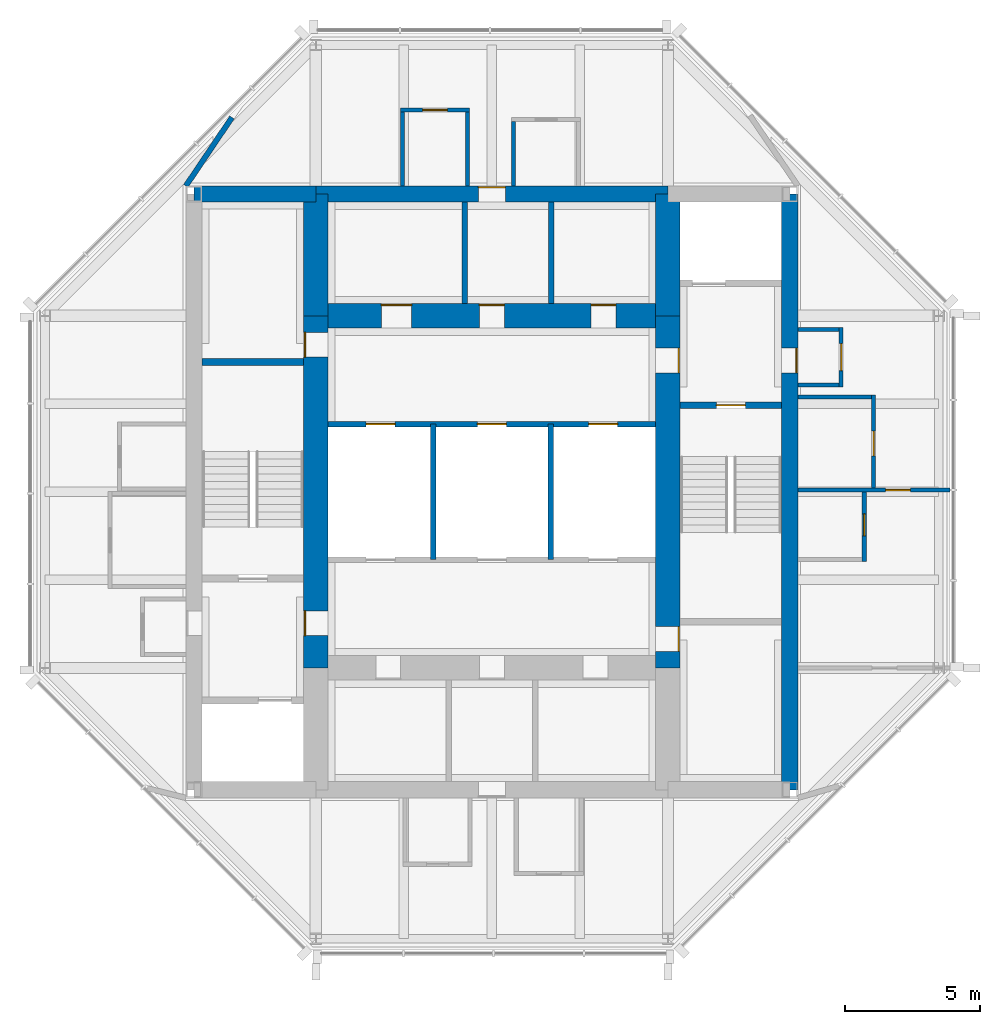
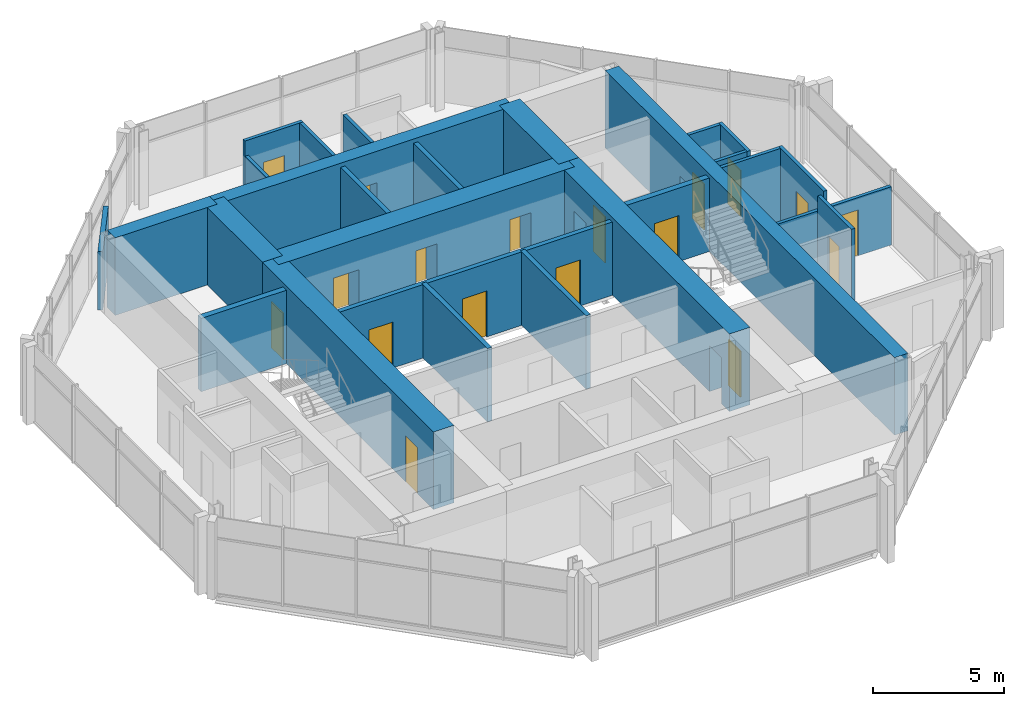
# One storey, part 6 of 8: 27 walls, 18 doors, 18 openings.
"""IFC4 building model written with IfcOpenShell, lengths in metres."""

from ifc_helpers import new_model, si_unit, direction, frame, frame_2d, origin, place, context, subcontext, project, spatial, rectangle, extrude, material, layer, layer_set, type_object, element, fill, save


model = new_model("IFC4")

# Units and contexts
model_context = context("Model", 3, precision=1e-05, world=origin(), true_north=direction((0.0, 1.0)))
body_context = subcontext(model_context, "Body", "Model", "MODEL_VIEW")
ifc_project = project(units=[si_unit("LENGTHUNIT", "METRE"), si_unit("AREAUNIT", "SQUARE_METRE"), si_unit("VOLUMEUNIT", "CUBIC_METRE"), si_unit("PLANEANGLEUNIT", "RADIAN"), si_unit("MASSUNIT", "GRAM", prefix="KILO")], contexts=[model_context])

# Site, building, storey
site_placement = place(None, origin())
site = spatial("IfcSite", under=ifc_project, at=site_placement, CompositionType="ELEMENT")
building_placement = place(site_placement, origin())
building = spatial("IfcBuilding", under=site, at=building_placement, Name="Trevanion Tower", CompositionType="ELEMENT")
storey_placement = place(building_placement, frame((0.0, 0.0, 270.39990234375)))
storey = spatial("IfcBuildingStorey", under=building, at=storey_placement, Name="L66", CompositionType="ELEMENT", Elevation=270.39990234375)

# Wall, opening, door
ifc_material_1 = material(Name="Concrete 10,000 psi", Category="concrete")
ifc_layer_1 = layer(ifc_material_1, 0.60009765625)
ifc_layer_set_1 = layer_set([ifc_layer_1], Name="CW1 core wall 600")
wall_type_1 = type_object("IfcWallType", Name="CW1 core wall 600", PredefinedType="SHEAR", material=ifc_layer_set_1)
wall_1_placement = place(storey_placement, frame((11.0, -11.0, 0.0), z_axis=(0.0, 0.0, 1.0), x_axis=(0.0, 1.0, 0.0)))
wall_1 = element("IfcWall", 1, at=wall_1_placement, inside=storey, type_object=wall_type_1, Name="CW1 CE L66", PredefinedType="SHEAR", context=body_context, shape_type="SweptSolid", body=[
    extrude(rectangle(XDim=22.0, YDim=0.60009765625, at=frame_2d((11.0, 0.0))), origin(), (0.0, 0.0, 1.0), 3.60009765625),
])
opening_1_placement = place(wall_1_placement, frame((15.392578125, 0.0, 0.0)))
opening_1 = element("IfcOpeningElement", 2, at=opening_1_placement, cuts=wall_1, Name="Opening 66-001", PredefinedType="OPENING", context=body_context, shape_type="SweptSolid", body=[
    extrude(rectangle(XDim=0.9150390625, YDim=2.134033203125, at=frame_2d((0.45751953125, 1.06689453125))), frame((0.0, 0.31005859375, 0.0), z_axis=(0.0, -1.0, 0.0), x_axis=(1.0, 0.0, 0.0)), (0.0, 0.0, 1.0), 0.6201171875),
])
ifc_material_2 = material(Name="Hollow metal, fire rated", Category="steel")
door_type_1 = type_object("IfcDoorType", Name="D3 fire lift lobby door", OperationType="SINGLE_SWING_RIGHT", PredefinedType="DOOR", material=ifc_material_2)
door_1_placement = place(opening_1_placement, origin())
door_1 = element("IfcDoor", 3, at=door_1_placement, inside=storey, type_object=door_type_1, Name="Door 66-001", OperationType="SINGLE_SWING_RIGHT", OverallHeight=2.134033203125, OverallWidth=0.9150390625, PredefinedType="DOOR", context=body_context, shape_type="SweptSolid", body=[
    extrude(rectangle(XDim=0.9150390625, YDim=2.134033203125, at=frame_2d((0.45751953125, 1.06689453125))), frame((0.0, -0.22509765625, 0.0), z_axis=(0.0, -1.0, 0.0), x_axis=(1.0, 0.0, 0.0)), (0.0, 0.0, 1.0), 0.050048828125),
])
fill(opening_1, door_1)

wall_2_placement = place(storey_placement, frame((6.5, 11.0, 0.0), z_axis=(0.0, 0.0, 1.0), x_axis=(-1.0, 0.0, 0.0)))
wall_2 = element("IfcWall", 4, at=wall_2_placement, inside=storey, type_object=wall_type_1, Name="CW1 CN2 L66", PredefinedType="SHEAR", context=body_context, shape_type="SweptSolid", body=[
    extrude(rectangle(XDim=13.0, YDim=0.60009765625, at=frame_2d((6.5, 0.0))), origin(), (0.0, 0.0, 1.0), 3.60009765625),
])
opening_2_placement = place(wall_2_placement, frame((6.0, 0.0, 0.0)))
opening_2 = element("IfcOpeningElement", 5, at=opening_2_placement, cuts=wall_2, Name="Opening 66-018", PredefinedType="OPENING", context=body_context, shape_type="SweptSolid", body=[
    extrude(rectangle(XDim=1.0, YDim=2.134033203125, at=frame_2d((0.5, 1.06689453125))), frame((0.0, 0.31005859375, 0.0), z_axis=(0.0, -1.0, 0.0), x_axis=(1.0, 0.0, 0.0)), (0.0, 0.0, 1.0), 0.6201171875),
])
ifc_material_3 = material(Name="Timber veneer on steel frame, fire rated", Category="steel")
door_type_2 = type_object("IfcDoorType", Name="D13 residence entrance door", OperationType="SINGLE_SWING_RIGHT", PredefinedType="DOOR", material=ifc_material_3)
door_2_placement = place(opening_2_placement, origin())
door_2 = element("IfcDoor", 6, at=door_2_placement, inside=storey, type_object=door_type_2, Name="Door 66-018", OperationType="SINGLE_SWING_RIGHT", OverallHeight=2.134033203125, OverallWidth=1.0, PredefinedType="DOOR", context=body_context, shape_type="SweptSolid", body=[
    extrude(rectangle(XDim=1.0, YDim=2.134033203125, at=frame_2d((0.5, 1.06689453125))), frame((0.0, -0.22509765625, 0.0), z_axis=(0.0, -1.0, 0.0), x_axis=(1.0, 0.0, 0.0)), (0.0, 0.0, 1.0), 0.050048828125),
])
fill(opening_2, door_2)

# Wall
wall_3_placement = place(storey_placement, frame((-6.5, 11.0, 0.0), z_axis=(0.0, 0.0, 1.0), x_axis=(-1.0, 0.0, 0.0)))
element("IfcWall", 7, at=wall_3_placement, inside=storey, type_object=wall_type_1, Name="CW1 CN3 L66", PredefinedType="SHEAR", context=body_context, shape_type="SweptSolid", body=[
    extrude(rectangle(XDim=4.5, YDim=0.60009765625, at=frame_2d((2.25, 0.0))), origin(), (0.0, 0.0, 1.0), 3.60009765625),
])

# Wall, openings, doors
ifc_material_4 = material(Name="Concrete 10,000 psi", Category="concrete")
ifc_layer_2 = layer(ifc_material_4, 0.89990234375)
ifc_layer_set_2 = layer_set([ifc_layer_2], Name="CW2 core wall 900")
wall_type_2 = type_object("IfcWallType", Name="CW2 core wall 900", PredefinedType="SHEAR", material=ifc_layer_set_2)
wall_4_placement = place(storey_placement, frame((6.5, -6.5, 0.0), z_axis=(0.0, 0.0, 1.0), x_axis=(0.0, 1.0, 0.0)))
wall_4 = element("IfcWall", 8, at=wall_4_placement, inside=storey, type_object=wall_type_2, Name="CW2 RE2 L66", PredefinedType="SHEAR", context=body_context, shape_type="SweptSolid", body=[
    extrude(rectangle(XDim=13.0, YDim=0.89990234375, at=frame_2d((6.5, 0.0))), origin(), (0.0, 0.0, 1.0), 3.60009765625),
])
opening_3_placement = place(wall_4_placement, frame((10.892578125, 0.0, 0.0)))
opening_3 = element("IfcOpeningElement", 9, at=opening_3_placement, cuts=wall_4, Name="Opening 66-003", PredefinedType="OPENING", context=body_context, shape_type="SweptSolid", body=[
    extrude(rectangle(XDim=0.9150390625, YDim=2.134033203125, at=frame_2d((0.45751953125, 1.06689453125))), frame((0.0, 0.4599609375, 0.0), z_axis=(0.0, -1.0, 0.0), x_axis=(1.0, 0.0, 0.0)), (0.0, 0.0, 1.0), 0.919921875),
])
opening_4_placement = place(wall_4_placement, frame((0.610107421875, 0.0, 0.0)))
opening_4 = element("IfcOpeningElement", 10, at=opening_4_placement, cuts=wall_4, Name="Opening 66-009", PredefinedType="OPENING", context=body_context, shape_type="SweptSolid", body=[
    extrude(rectangle(XDim=0.9150390625, YDim=2.134033203125, at=frame_2d((0.45751953125, 1.06689453125))), frame((0.0, 0.4599609375, 0.0), z_axis=(0.0, -1.0, 0.0), x_axis=(1.0, 0.0, 0.0)), (0.0, 0.0, 1.0), 0.919921875),
])
door_3_placement = place(opening_3_placement, origin())
door_3 = element("IfcDoor", 11, at=door_3_placement, inside=storey, type_object=door_type_1, Name="Door 66-003", OperationType="SINGLE_SWING_RIGHT", OverallHeight=2.134033203125, OverallWidth=0.9150390625, PredefinedType="DOOR", context=body_context, shape_type="SweptSolid", body=[
    extrude(rectangle(XDim=0.9150390625, YDim=2.134033203125, at=frame_2d((0.45751953125, 1.06689453125))), frame((0.0, -0.375, 0.0), z_axis=(0.0, -1.0, 0.0), x_axis=(1.0, 0.0, 0.0)), (0.0, 0.0, 1.0), 0.050048828125),
])
fill(opening_3, door_3)
ifc_material_5 = material(Name="Hollow metal, fire rated", Category="steel")
door_type_3 = type_object("IfcDoorType", Name="D5 service room door", OperationType="SINGLE_SWING_RIGHT", PredefinedType="DOOR", material=ifc_material_5)
door_4_placement = place(opening_4_placement, origin())
door_4 = element("IfcDoor", 12, at=door_4_placement, inside=storey, type_object=door_type_3, Name="Door 66-009", OperationType="SINGLE_SWING_RIGHT", OverallHeight=2.134033203125, OverallWidth=0.9150390625, PredefinedType="DOOR", context=body_context, shape_type="SweptSolid", body=[
    extrude(rectangle(XDim=0.9150390625, YDim=2.134033203125, at=frame_2d((0.45751953125, 1.06689453125))), frame((0.0, -0.375, 0.0), z_axis=(0.0, -1.0, 0.0), x_axis=(1.0, 0.0, 0.0)), (0.0, 0.0, 1.0), 0.050048828125),
])
fill(opening_4, door_4)

# Walls
for number, where, z_axis, x_axis, name in (
    (13, (6.5, 6.5, 0.0), (0.0, 0.0, 1.0), (0.0, 1.0, 0.0), "CW2 RE3 L66"),
    (14, (-6.5, 11.0, 0.0), (0.0, 0.0, 1.0), (0.0, -1.0, 0.0), "CW2 RW1 L66"),
):
    element("IfcWall", number, at=place(storey_placement, frame(where, z_axis=z_axis, x_axis=x_axis)), inside=storey, type_object=wall_type_2, Name=name, PredefinedType="SHEAR", context=body_context, shape_type="SweptSolid", body=[
        extrude(rectangle(XDim=4.5, YDim=0.89990234375, at=frame_2d((2.25, 0.0))), origin(), (0.0, 0.0, 1.0), 3.60009765625),
    ])

# Wall, openings, doors
wall_5_placement = place(storey_placement, frame((-6.5, 6.5, 0.0), z_axis=(0.0, 0.0, 1.0), x_axis=(0.0, -1.0, 0.0)))
wall_5 = element("IfcWall", 15, at=wall_5_placement, inside=storey, type_object=wall_type_2, Name="CW2 RW2 L66", PredefinedType="SHEAR", context=body_context, shape_type="SweptSolid", body=[
    extrude(rectangle(XDim=13.0, YDim=0.89990234375, at=frame_2d((6.5, 0.0))), origin(), (0.0, 0.0, 1.0), 3.60009765625),
])
opening_5_placement = place(wall_5_placement, frame((10.892578125, 0.0, 0.0)))
opening_5 = element("IfcOpeningElement", 16, at=opening_5_placement, cuts=wall_5, Name="Opening 66-004", PredefinedType="OPENING", context=body_context, shape_type="SweptSolid", body=[
    extrude(rectangle(XDim=0.9150390625, YDim=2.134033203125, at=frame_2d((0.45751953125, 1.06689453125))), frame((0.0, 0.4599609375, 0.0), z_axis=(0.0, -1.0, 0.0), x_axis=(1.0, 0.0, 0.0)), (0.0, 0.0, 1.0), 0.919921875),
])
opening_6_placement = place(wall_5_placement, frame((0.610107421875, 0.0, 0.0)))
opening_6 = element("IfcOpeningElement", 17, at=opening_6_placement, cuts=wall_5, Name="Opening 66-010", PredefinedType="OPENING", context=body_context, shape_type="SweptSolid", body=[
    extrude(rectangle(XDim=0.9150390625, YDim=2.134033203125, at=frame_2d((0.45751953125, 1.06689453125))), frame((0.0, 0.4599609375, 0.0), z_axis=(0.0, -1.0, 0.0), x_axis=(1.0, 0.0, 0.0)), (0.0, 0.0, 1.0), 0.919921875),
])
door_5_placement = place(opening_5_placement, origin())
door_5 = element("IfcDoor", 18, at=door_5_placement, inside=storey, type_object=door_type_1, Name="Door 66-004", OperationType="SINGLE_SWING_RIGHT", OverallHeight=2.134033203125, OverallWidth=0.9150390625, PredefinedType="DOOR", context=body_context, shape_type="SweptSolid", body=[
    extrude(rectangle(XDim=0.9150390625, YDim=2.134033203125, at=frame_2d((0.45751953125, 1.06689453125))), frame((0.0, -0.375, 0.0), z_axis=(0.0, -1.0, 0.0), x_axis=(1.0, 0.0, 0.0)), (0.0, 0.0, 1.0), 0.050048828125),
])
fill(opening_5, door_5)
door_6_placement = place(opening_6_placement, origin())
door_6 = element("IfcDoor", 19, at=door_6_placement, inside=storey, type_object=door_type_3, Name="Door 66-010", OperationType="SINGLE_SWING_RIGHT", OverallHeight=2.134033203125, OverallWidth=0.9150390625, PredefinedType="DOOR", context=body_context, shape_type="SweptSolid", body=[
    extrude(rectangle(XDim=0.9150390625, YDim=2.134033203125, at=frame_2d((0.45751953125, 1.06689453125))), frame((0.0, -0.375, 0.0), z_axis=(0.0, -1.0, 0.0), x_axis=(1.0, 0.0, 0.0)), (0.0, 0.0, 1.0), 0.050048828125),
])
fill(opening_6, door_6)

wall_6_placement = place(storey_placement, frame((6.5, 6.5, 0.0), z_axis=(0.0, 0.0, 1.0), x_axis=(-1.0, 0.0, 0.0)))
wall_6 = element("IfcWall", 20, at=wall_6_placement, inside=storey, type_object=wall_type_2, Name="CW2 RN L66", PredefinedType="SHEAR", context=body_context, shape_type="SweptSolid", body=[
    extrude(rectangle(XDim=13.0, YDim=0.89990234375, at=frame_2d((6.5, 0.0))), origin(), (0.0, 0.0, 1.0), 3.60009765625),
])
opening_7_placement = place(wall_6_placement, frame((6.04248046875, 0.0, 0.0)))
opening_7 = element("IfcOpeningElement", 21, at=opening_7_placement, cuts=wall_6, Name="Opening 66-017", PredefinedType="OPENING", context=body_context, shape_type="SweptSolid", body=[
    extrude(rectangle(XDim=0.9150390625, YDim=2.134033203125, at=frame_2d((0.45751953125, 1.06689453125))), frame((0.0, 0.4599609375, 0.0), z_axis=(0.0, -1.0, 0.0), x_axis=(1.0, 0.0, 0.0)), (0.0, 0.0, 1.0), 0.919921875),
])
opening_8_placement = place(wall_6_placement, frame((9.466064453125, 0.0, 0.0)))
opening_8 = element("IfcOpeningElement", 22, at=opening_8_placement, cuts=wall_6, Name="Opening 66-019", PredefinedType="OPENING", context=body_context, shape_type="SweptSolid", body=[
    extrude(rectangle(XDim=1.117919921875, YDim=2.134033203125, at=frame_2d((0.55908203125, 1.06689453125))), frame((0.0, 0.4599609375, 0.0), z_axis=(0.0, -1.0, 0.0), x_axis=(1.0, 0.0, 0.0)), (0.0, 0.0, 1.0), 0.919921875),
])
opening_9_placement = place(wall_6_placement, frame((1.91748046875, 0.0, 0.0)))
opening_9 = element("IfcOpeningElement", 23, at=opening_9_placement, cuts=wall_6, Name="Opening 66-020", PredefinedType="OPENING", context=body_context, shape_type="SweptSolid", body=[
    extrude(rectangle(XDim=0.9150390625, YDim=2.134033203125, at=frame_2d((0.45751953125, 1.06689453125))), frame((0.0, 0.4599609375, 0.0), z_axis=(0.0, -1.0, 0.0), x_axis=(1.0, 0.0, 0.0)), (0.0, 0.0, 1.0), 0.919921875),
])
ifc_material_6 = material(Name="Hollow metal, fire rated", Category="steel")
door_type_4 = type_object("IfcDoorType", Name="D16 refuse room door", OperationType="SINGLE_SWING_RIGHT", PredefinedType="DOOR", material=ifc_material_6)
door_7_placement = place(opening_8_placement, origin())
door_7 = element("IfcDoor", 24, at=door_7_placement, inside=storey, type_object=door_type_4, Name="Door 66-019", OperationType="SINGLE_SWING_RIGHT", OverallHeight=2.134033203125, OverallWidth=1.117919921875, PredefinedType="DOOR", context=body_context, shape_type="SweptSolid", body=[
    extrude(rectangle(XDim=1.117919921875, YDim=2.134033203125, at=frame_2d((0.55908203125, 1.06689453125))), frame((0.0, -0.375, 0.0), z_axis=(0.0, -1.0, 0.0), x_axis=(1.0, 0.0, 0.0)), (0.0, 0.0, 1.0), 0.050048828125),
])
fill(opening_8, door_7)
door_8_placement = place(opening_7_placement, origin())
door_8 = element("IfcDoor", 25, at=door_8_placement, inside=storey, type_object=door_type_1, Name="Door 66-017", OperationType="SINGLE_SWING_RIGHT", OverallHeight=2.134033203125, OverallWidth=0.9150390625, PredefinedType="DOOR", context=body_context, shape_type="SweptSolid", body=[
    extrude(rectangle(XDim=0.9150390625, YDim=2.134033203125, at=frame_2d((0.45751953125, 1.06689453125))), frame((0.0, -0.375, 0.0), z_axis=(0.0, -1.0, 0.0), x_axis=(1.0, 0.0, 0.0)), (0.0, 0.0, 1.0), 0.050048828125),
])
fill(opening_7, door_8)
door_9_placement = place(opening_9_placement, origin())
door_9 = element("IfcDoor", 26, at=door_9_placement, inside=storey, type_object=door_type_3, Name="Door 66-020", OperationType="SINGLE_SWING_RIGHT", OverallHeight=2.134033203125, OverallWidth=0.9150390625, PredefinedType="DOOR", context=body_context, shape_type="SweptSolid", body=[
    extrude(rectangle(XDim=0.9150390625, YDim=2.134033203125, at=frame_2d((0.45751953125, 1.06689453125))), frame((0.0, -0.375, 0.0), z_axis=(0.0, -1.0, 0.0), x_axis=(1.0, 0.0, 0.0)), (0.0, 0.0, 1.0), 0.050048828125),
])
fill(opening_9, door_9)

# Wall, opening, door
ifc_material_7 = material(Name="Gypsum board on steel studs", Category="steel")
ifc_layer_3 = layer(ifc_material_7, 0.14990234375)
ifc_layer_set_3 = layer_set([ifc_layer_3], Name="PT1 partition 150")
wall_type_3 = type_object("IfcWallType", Name="PT1 partition 150", PredefinedType="PARTITIONING", material=ifc_layer_set_3)
wall_7_placement = place(storey_placement, frame((11.300048828125, 0.06494140625, 0.0), z_axis=(0.0, 0.0, 1.0), x_axis=(1.0, 0.0, 0.0)))
wall_7 = element("IfcWall", 27, at=wall_7_placement, inside=storey, type_object=wall_type_3, Name="PT1 L66 REC1", PredefinedType="PARTITIONING", context=body_context, shape_type="SweptSolid", body=[
    extrude(rectangle(XDim=5.614990234375, YDim=0.14990234375, at=frame_2d((2.8076171875, 0.0))), origin(), (0.0, 0.0, 1.0), 2.708984375),
])
opening_10_placement = place(wall_7_placement, frame((3.242431640625, 0.0, 0.0)))
opening_10 = element("IfcOpeningElement", 28, at=opening_10_placement, cuts=wall_7, Name="Opening 66-029", PredefinedType="OPENING", context=body_context, shape_type="SweptSolid", body=[
    extrude(rectangle(XDim=0.9150390625, YDim=2.134033203125, at=frame_2d((0.45751953125, 1.06689453125))), frame((0.0, 0.0849609375, 0.0), z_axis=(0.0, -1.0, 0.0), x_axis=(1.0, 0.0, 0.0)), (0.0, 0.0, 1.0), 0.169921875),
])
ifc_material_8 = material(Name="Timber veneer, solid core", Category="wood")
door_type_5 = type_object("IfcDoorType", Name="D1 office and meeting room door", OperationType="SINGLE_SWING_LEFT", PredefinedType="DOOR", material=ifc_material_8)
door_10_placement = place(opening_10_placement, origin())
door_10 = element("IfcDoor", 29, at=door_10_placement, inside=storey, type_object=door_type_5, Name="Door 66-029", OperationType="SINGLE_SWING_LEFT", OverallHeight=2.134033203125, OverallWidth=0.9150390625, PredefinedType="DOOR", context=body_context, shape_type="SweptSolid", body=[
    extrude(rectangle(XDim=0.9150390625, YDim=2.134033203125, at=frame_2d((0.45751953125, 1.06689453125))), frame((0.0, 0.02490234375, 0.0), z_axis=(0.0, -1.0, 0.0), x_axis=(1.0, 0.0, 0.0)), (0.0, 0.0, 1.0), 0.050048828125),
])
fill(opening_10, door_10)

# Walls
for number, where, z_axis, x_axis, name in (
    (30, (11.300048828125, 3.949951171875, 0.0), (0.0, 0.0, 1.0), (1.0, 0.0, 0.0), "PT1 L66 REEA"),
    (31, (11.300048828125, 6.0, 0.0), (0.0, 0.0, 1.0), (1.0, 0.0, 0.0), "PT1 L66 REEB"),
):
    element("IfcWall", number, at=place(storey_placement, frame(where, z_axis=z_axis, x_axis=x_axis)), inside=storey, type_object=wall_type_3, Name=name, PredefinedType="PARTITIONING", context=body_context, shape_type="SweptSolid", body=[
        extrude(rectangle(XDim=1.52490234375, YDim=0.14990234375, at=frame_2d((0.762451171875, 0.0))), origin(), (0.0, 0.0, 1.0), 3.41015625),
    ])

# Wall, opening, door
wall_8_placement = place(storey_placement, frame((14.10009765625, 0.139892578125, 0.0), z_axis=(0.0, 0.0, 1.0), x_axis=(0.0, 1.0, 0.0)))
wall_8 = element("IfcWall", 32, at=wall_8_placement, inside=storey, type_object=wall_type_3, Name="PT1 L66 REKF", PredefinedType="PARTITIONING", context=body_context, shape_type="SweptSolid", body=[
    extrude(rectangle(XDim=3.43505859375, YDim=0.14990234375, at=frame_2d((1.717529296875, 0.0))), origin(), (0.0, 0.0, 1.0), 3.41015625),
])
opening_11_placement = place(wall_8_placement, frame((1.18505859375, 0.0, 0.0)))
opening_11 = element("IfcOpeningElement", 33, at=opening_11_placement, cuts=wall_8, Name="Opening 66-026", PredefinedType="OPENING", context=body_context, shape_type="SweptSolid", body=[
    extrude(rectangle(XDim=0.9150390625, YDim=2.134033203125, at=frame_2d((0.45751953125, 1.06689453125))), frame((0.0, 0.0849609375, 0.0), z_axis=(0.0, -1.0, 0.0), x_axis=(1.0, 0.0, 0.0)), (0.0, 0.0, 1.0), 0.169921875),
])
door_11_placement = place(opening_11_placement, origin())
door_11 = element("IfcDoor", 34, at=door_11_placement, inside=storey, type_object=door_type_5, Name="Door 66-026", OperationType="SINGLE_SWING_LEFT", OverallHeight=2.134033203125, OverallWidth=0.9150390625, PredefinedType="DOOR", context=body_context, shape_type="SweptSolid", body=[
    extrude(rectangle(XDim=0.9150390625, YDim=2.134033203125, at=frame_2d((0.45751953125, 1.06689453125))), frame((0.0, 0.02490234375, 0.0), z_axis=(0.0, -1.0, 0.0), x_axis=(1.0, 0.0, 0.0)), (0.0, 0.0, 1.0), 0.050048828125),
])
fill(opening_11, door_11)

# Wall
wall_9_placement = place(storey_placement, frame((11.300048828125, 3.5, 0.0), z_axis=(0.0, 0.0, 1.0), x_axis=(1.0, 0.0, 0.0)))
element("IfcWall", 35, at=wall_9_placement, inside=storey, type_object=wall_type_3, Name="PT1 L66 REKB", PredefinedType="PARTITIONING", context=body_context, shape_type="SweptSolid", body=[
    extrude(rectangle(XDim=2.724853515625, YDim=0.14990234375, at=frame_2d((1.3623046875, 0.0))), origin(), (0.0, 0.0, 1.0), 3.41015625),
])

# Wall, opening, door
wall_10_placement = place(storey_placement, frame((13.75, -2.574951171875, 0.0), z_axis=(0.0, 0.0, 1.0), x_axis=(0.0, 1.0, 0.0)))
wall_10 = element("IfcWall", 36, at=wall_10_placement, inside=storey, type_object=wall_type_3, Name="PT1 L66 RETF", PredefinedType="PARTITIONING", context=body_context, shape_type="SweptSolid", body=[
    extrude(rectangle(XDim=2.56494140625, YDim=0.14990234375, at=frame_2d((1.282470703125, 0.0))), origin(), (0.0, 0.0, 1.0), 3.41015625),
])
opening_12_placement = place(wall_10_placement, frame((0.950927734375, 0.0, 0.0)))
opening_12 = element("IfcOpeningElement", 37, at=opening_12_placement, cuts=wall_10, Name="Opening 66-027", PredefinedType="OPENING", context=body_context, shape_type="SweptSolid", body=[
    extrude(rectangle(XDim=0.81298828125, YDim=2.031982421875, at=frame_2d((0.406494140625, 1.01611328125))), frame((0.0, 0.0849609375, 0.0), z_axis=(0.0, -1.0, 0.0), x_axis=(1.0, 0.0, 0.0)), (0.0, 0.0, 1.0), 0.169921875),
])
ifc_material_9 = material(Name="Timber veneer", Category="wood")
door_type_6 = type_object("IfcDoorType", Name="D14 residence bathroom door", OperationType="SINGLE_SWING_LEFT", PredefinedType="DOOR", material=ifc_material_9)
door_12_placement = place(opening_12_placement, origin())
door_12 = element("IfcDoor", 38, at=door_12_placement, inside=storey, type_object=door_type_6, Name="Door 66-027", OperationType="SINGLE_SWING_LEFT", OverallHeight=2.031982421875, OverallWidth=0.81298828125, PredefinedType="DOOR", context=body_context, shape_type="SweptSolid", body=[
    extrude(rectangle(XDim=0.81298828125, YDim=2.031982421875, at=frame_2d((0.406494140625, 1.01611328125))), frame((0.0, 0.02490234375, 0.0), z_axis=(0.0, -1.0, 0.0), x_axis=(1.0, 0.0, 0.0)), (0.0, 0.0, 1.0), 0.050048828125),
])
fill(opening_12, door_12)

wall_11_placement = place(storey_placement, frame((-0.824951171875, 14.10009765625, 0.0), z_axis=(0.0, 0.0, 1.0), x_axis=(-1.0, 0.0, 0.0)))
wall_11 = element("IfcWall", 39, at=wall_11_placement, inside=storey, type_object=wall_type_3, Name="PT1 L66 RNKF", PredefinedType="PARTITIONING", context=body_context, shape_type="SweptSolid", body=[
    extrude(rectangle(XDim=2.550048828125, YDim=0.14990234375, at=frame_2d((1.27490234375, 0.0))), origin(), (0.0, 0.0, 1.0), 3.41015625),
])
opening_13_placement = place(wall_11_placement, frame((0.8173828125, 0.0, 0.0)))
opening_13 = element("IfcOpeningElement", 40, at=opening_13_placement, cuts=wall_11, Name="Opening 66-030", PredefinedType="OPENING", context=body_context, shape_type="SweptSolid", body=[
    extrude(rectangle(XDim=0.9150390625, YDim=2.134033203125, at=frame_2d((0.45751953125, 1.06689453125))), frame((0.0, 0.0849609375, 0.0), z_axis=(0.0, -1.0, 0.0), x_axis=(1.0, 0.0, 0.0)), (0.0, 0.0, 1.0), 0.169921875),
])
door_13_placement = place(opening_13_placement, origin())
door_13 = element("IfcDoor", 41, at=door_13_placement, inside=storey, type_object=door_type_5, Name="Door 66-030", OperationType="SINGLE_SWING_LEFT", OverallHeight=2.134033203125, OverallWidth=0.9150390625, PredefinedType="DOOR", context=body_context, shape_type="SweptSolid", body=[
    extrude(rectangle(XDim=0.9150390625, YDim=2.134033203125, at=frame_2d((0.45751953125, 1.06689453125))), frame((0.0, 0.02490234375, 0.0), z_axis=(0.0, -1.0, 0.0), x_axis=(1.0, 0.0, 0.0)), (0.0, 0.0, 1.0), 0.050048828125),
])
fill(opening_13, door_13)

# Walls
wall_12_placement = place(storey_placement, frame((-0.89990234375, 11.300048828125, 0.0), z_axis=(0.0, 0.0, 1.0), x_axis=(0.0, 1.0, 0.0)))
element("IfcWall", 42, at=wall_12_placement, inside=storey, type_object=wall_type_3, Name="PT1 L66 RNKA", PredefinedType="PARTITIONING", context=body_context, shape_type="SweptSolid", body=[
    extrude(rectangle(XDim=2.724853515625, YDim=0.14990234375, at=frame_2d((1.3623046875, 0.0))), origin(), (0.0, 0.0, 1.0), 3.41015625),
])
wall_13_placement = place(storey_placement, frame((-3.300048828125, 11.300048828125, 0.0), z_axis=(0.0, 0.0, 1.0), x_axis=(0.0, 1.0, 0.0)))
element("IfcWall", 43, at=wall_13_placement, inside=storey, type_object=wall_type_3, Name="PT1 L66 RNKB", PredefinedType="PARTITIONING", context=body_context, shape_type="SweptSolid", body=[
    extrude(rectangle(XDim=2.724853515625, YDim=0.14990234375, at=frame_2d((1.3623046875, 0.0))), origin(), (0.0, 0.0, 1.0), 2.708984375),
])
wall_14_placement = place(storey_placement, frame((0.800048828125, 11.300048828125, 0.0), z_axis=(0.0, 0.0, 1.0), x_axis=(0.0, 1.0, 0.0)))
element("IfcWall", 44, at=wall_14_placement, inside=storey, type_object=wall_type_3, Name="PT1 L66 RNTB", PredefinedType="PARTITIONING", context=body_context, shape_type="SweptSolid", body=[
    extrude(rectangle(XDim=2.375, YDim=0.14990234375, at=frame_2d((1.1875, 0.0))), origin(), (0.0, 0.0, 1.0), 3.41015625),
])

# Wall, opening, door
ifc_material_10 = material(Name="Gypsum board on steel studs", Category="steel")
ifc_layer_4 = layer(ifc_material_10, 0.14990234375)
ifc_layer_set_4 = layer_set([ifc_layer_4], Name="PT1 partition 150 1 HR")
wall_type_4 = type_object("IfcWallType", Name="PT1 partition 150 1 HR", PredefinedType="PARTITIONING", material=ifc_layer_set_4)
wall_15_placement = place(storey_placement, frame((12.89990234375, 3.875, 0.0), z_axis=(0.0, 0.0, 1.0), x_axis=(0.0, 1.0, 0.0)))
wall_15 = element("IfcWall", 45, at=wall_15_placement, inside=storey, type_object=wall_type_4, Name="PT1 L66 REEF", PredefinedType="PARTITIONING", context=body_context, shape_type="SweptSolid", body=[
    extrude(rectangle(XDim=2.199951171875, YDim=0.14990234375, at=frame_2d((1.10009765625, 0.0))), origin(), (0.0, 0.0, 1.0), 3.41015625),
])
opening_14_placement = place(wall_15_placement, frame((0.60009765625, 0.0, 0.0)))
opening_14 = element("IfcOpeningElement", 46, at=opening_14_placement, cuts=wall_15, Name="Opening 66-025", PredefinedType="OPENING", context=body_context, shape_type="SweptSolid", body=[
    extrude(rectangle(XDim=1.0, YDim=2.134033203125, at=frame_2d((0.5, 1.06689453125))), frame((0.0, 0.0849609375, 0.0), z_axis=(0.0, -1.0, 0.0), x_axis=(1.0, 0.0, 0.0)), (0.0, 0.0, 1.0), 0.169921875),
])
door_14_placement = place(opening_14_placement, origin())
door_14 = element("IfcDoor", 47, at=door_14_placement, inside=storey, type_object=door_type_2, Name="Door 66-025", OperationType="SINGLE_SWING_RIGHT", OverallHeight=2.134033203125, OverallWidth=1.0, PredefinedType="DOOR", context=body_context, shape_type="SweptSolid", body=[
    extrude(rectangle(XDim=1.0, YDim=2.134033203125, at=frame_2d((0.5, 1.06689453125))), frame((0.0, 0.02490234375, 0.0), z_axis=(0.0, -1.0, 0.0), x_axis=(1.0, 0.0, 0.0)), (0.0, 0.0, 1.0), 0.050048828125),
])
fill(opening_14, door_14)

# Wall, openings, doors
ifc_material_11 = material(Name="Concrete masonry, grouted", Category="masonry")
ifc_layer_5 = layer(ifc_material_11, 0.199951171875)
ifc_layer_set_5 = layer_set([ifc_layer_5], Name="PT2 partition 200 1 HR")
wall_type_5 = type_object("IfcWallType", Name="PT2 partition 200 1 HR", PredefinedType="PARTITIONING", material=ifc_layer_set_5)
wall_16_placement = place(storey_placement, frame((-6.050048828125, 2.5, 0.0), z_axis=(0.0, 0.0, 1.0), x_axis=(1.0, 0.0, 0.0)))
wall_16 = element("IfcWall", 48, at=wall_16_placement, inside=storey, type_object=wall_type_5, Name="PT2 L66 CP1", PredefinedType="PARTITIONING", context=body_context, shape_type="SweptSolid", body=[
    extrude(rectangle(XDim=12.10009765625, YDim=0.199951171875, at=frame_2d((6.050048828125, 0.0))), origin(), (0.0, 0.0, 1.0), 3.41015625),
])
opening_15_placement = place(wall_16_placement, frame((1.408203125, 0.0, 0.0)))
opening_15 = element("IfcOpeningElement", 49, at=opening_15_placement, cuts=wall_16, Name="Opening 66-011", PredefinedType="OPENING", context=body_context, shape_type="SweptSolid", body=[
    extrude(rectangle(XDim=1.06689453125, YDim=2.134033203125, at=frame_2d((0.533447265625, 1.06689453125))), frame((0.0, 0.10986328125, 0.0), z_axis=(0.0, -1.0, 0.0), x_axis=(1.0, 0.0, 0.0)), (0.0, 0.0, 1.0), 0.219970703125),
])
opening_16_placement = place(wall_16_placement, frame((5.5166015625, 0.0, 0.0)))
opening_16 = element("IfcOpeningElement", 50, at=opening_16_placement, cuts=wall_16, Name="Opening 66-013", PredefinedType="OPENING", context=body_context, shape_type="SweptSolid", body=[
    extrude(rectangle(XDim=1.06689453125, YDim=2.134033203125, at=frame_2d((0.533447265625, 1.06689453125))), frame((0.0, 0.10986328125, 0.0), z_axis=(0.0, -1.0, 0.0), x_axis=(1.0, 0.0, 0.0)), (0.0, 0.0, 1.0), 0.219970703125),
])
opening_17_placement = place(wall_16_placement, frame((9.624755859375, 0.0, 0.0)))
opening_17 = element("IfcOpeningElement", 51, at=opening_17_placement, cuts=wall_16, Name="Opening 66-015", PredefinedType="OPENING", context=body_context, shape_type="SweptSolid", body=[
    extrude(rectangle(XDim=1.06689453125, YDim=2.134033203125, at=frame_2d((0.533447265625, 1.06689453125))), frame((0.0, 0.10986328125, 0.0), z_axis=(0.0, -1.0, 0.0), x_axis=(1.0, 0.0, 0.0)), (0.0, 0.0, 1.0), 0.219970703125),
])
ifc_material_12 = material(Name="Stainless steel, fire rated", Category="steel")
door_type_7 = type_object("IfcDoorType", Name="LD1 lift landing door", OperationType="SLIDING_TO_LEFT", PredefinedType="DOOR", material=ifc_material_12)
door_15_placement = place(opening_15_placement, origin())
door_15 = element("IfcDoor", 52, at=door_15_placement, inside=storey, type_object=door_type_7, Name="Door 66-011", OperationType="SLIDING_TO_LEFT", OverallHeight=2.134033203125, OverallWidth=1.06689453125, PredefinedType="DOOR", context=body_context, shape_type="SweptSolid", body=[
    extrude(rectangle(XDim=1.06689453125, YDim=2.134033203125, at=frame_2d((0.533447265625, 1.06689453125))), frame((0.0, 0.02490234375, 0.0), z_axis=(0.0, -1.0, 0.0), x_axis=(1.0, 0.0, 0.0)), (0.0, 0.0, 1.0), 0.050048828125),
])
fill(opening_15, door_15)
door_16_placement = place(opening_16_placement, origin())
door_16 = element("IfcDoor", 53, at=door_16_placement, inside=storey, type_object=door_type_7, Name="Door 66-013", OperationType="SLIDING_TO_LEFT", OverallHeight=2.134033203125, OverallWidth=1.06689453125, PredefinedType="DOOR", context=body_context, shape_type="SweptSolid", body=[
    extrude(rectangle(XDim=1.06689453125, YDim=2.134033203125, at=frame_2d((0.533447265625, 1.06689453125))), frame((0.0, 0.02490234375, 0.0), z_axis=(0.0, -1.0, 0.0), x_axis=(1.0, 0.0, 0.0)), (0.0, 0.0, 1.0), 0.050048828125),
])
fill(opening_16, door_16)
door_17_placement = place(opening_17_placement, origin())
door_17 = element("IfcDoor", 54, at=door_17_placement, inside=storey, type_object=door_type_7, Name="Door 66-015", OperationType="SLIDING_TO_LEFT", OverallHeight=2.134033203125, OverallWidth=1.06689453125, PredefinedType="DOOR", context=body_context, shape_type="SweptSolid", body=[
    extrude(rectangle(XDim=1.06689453125, YDim=2.134033203125, at=frame_2d((0.533447265625, 1.06689453125))), frame((0.0, 0.02490234375, 0.0), z_axis=(0.0, -1.0, 0.0), x_axis=(1.0, 0.0, 0.0)), (0.0, 0.0, 1.0), 0.050048828125),
])
fill(opening_17, door_17)

# Walls
for number, where, z_axis, x_axis, name in (
    (55, (-1.0, 6.949951171875, 0.0), (0.0, 0.0, 1.0), (0.0, 1.0, 0.0), "PT2 L66 CNP1"),
    (56, (2.199951171875, 6.949951171875, 0.0), (0.0, 0.0, 1.0), (0.0, 1.0, 0.0), "PT2 L66 CNP2"),
):
    element("IfcWall", number, at=place(storey_placement, frame(where, z_axis=z_axis, x_axis=x_axis)), inside=storey, type_object=wall_type_5, Name=name, PredefinedType="PARTITIONING", context=body_context, shape_type="SweptSolid", body=[
        extrude(rectangle(XDim=3.75, YDim=0.199951171875, at=frame_2d((1.875, 0.0))), origin(), (0.0, 0.0, 1.0), 3.41015625),
    ])
wall_17_placement = place(storey_placement, frame((-11.300048828125, 11.300048828125, 0.0), z_axis=(0.0, 0.0, 1.0), x_axis=(0.558834300538, 0.829279340477, 0.0)))
element("IfcWall", 57, at=wall_17_placement, inside=storey, type_object=wall_type_5, Name="PT2 L66 UB1", PredefinedType="PARTITIONING", context=body_context, shape_type="SweptSolid", body=[
    extrude(rectangle(XDim=3.047607421875, YDim=0.199951171875, at=frame_2d((1.52392578125, 0.0))), origin(), (0.0, 0.0, 1.0), 2.703857421875),
])
ifc_material_13 = material(Name="Concrete masonry, grouted", Category="masonry")
ifc_layer_6 = layer(ifc_material_13, 0.199951171875)
ifc_layer_set_6 = layer_set([ifc_layer_6], Name="PT2 partition 200 2 HR")
wall_type_6 = type_object("IfcWallType", Name="PT2 partition 200 2 HR", PredefinedType="PARTITIONING", material=ifc_layer_set_6)
for number, where, z_axis, x_axis, name in (
    (58, (-2.166748046875, -2.5, 0.0), (0.0, 0.0, 1.0), (0.0, 1.0, 0.0), "PT2 L66 MS0"),
    (59, (2.166748046875, -2.5, 0.0), (0.0, 0.0, 1.0), (0.0, 1.0, 0.0), "PT2 L66 MS1"),
):
    element("IfcWall", number, at=place(storey_placement, frame(where, z_axis=z_axis, x_axis=x_axis)), inside=storey, type_object=wall_type_6, Name=name, PredefinedType="PARTITIONING", context=body_context, shape_type="SweptSolid", body=[
        extrude(rectangle(XDim=5.0, YDim=0.199951171875, at=frame_2d((2.5, 0.0))), origin(), (0.0, 0.0, 1.0), 3.41015625),
    ])
ifc_material_14 = material(Name="Reinforced masonry, fully grouted", Category="masonry")
ifc_layer_7 = layer(ifc_material_14, 0.25)
ifc_layer_set_7 = layer_set([ifc_layer_7], Name="SW1 stair shaft wall 250")
wall_type_7 = type_object("IfcWallType", Name="SW1 stair shaft wall 250", PredefinedType="SOLIDWALL", material=ifc_layer_set_7)
wall_18_placement = place(storey_placement, frame((-6.949951171875, 4.800048828125, 0.0), z_axis=(0.0, 0.0, 1.0), x_axis=(-1.0, 0.0, 0.0)))
element("IfcWall", 60, at=wall_18_placement, inside=storey, type_object=wall_type_7, Name="SW1 L66 WP1", PredefinedType="SOLIDWALL", context=body_context, shape_type="SweptSolid", body=[
    extrude(rectangle(XDim=3.75, YDim=0.25, at=frame_2d((1.875, 0.0))), origin(), (0.0, 0.0, 1.0), 3.41015625),
])

# Wall, opening, door
wall_19_placement = place(storey_placement, frame((6.949951171875, 3.199951171875, 0.0), z_axis=(0.0, 0.0, 1.0), x_axis=(1.0, 0.0, 0.0)))
wall_19 = element("IfcWall", 61, at=wall_19_placement, inside=storey, type_object=wall_type_7, Name="SW1 L66 EP2", PredefinedType="SOLIDWALL", context=body_context, shape_type="SweptSolid", body=[
    extrude(rectangle(XDim=3.75, YDim=0.25, at=frame_2d((1.875, 0.0))), origin(), (0.0, 0.0, 1.0), 3.41015625),
])
opening_18_placement = place(wall_19_placement, frame((1.341552734375, 0.0, 0.0)))
opening_18 = element("IfcOpeningElement", 62, at=opening_18_placement, cuts=wall_19, Name="Opening 66-005", PredefinedType="OPENING", context=body_context, shape_type="SweptSolid", body=[
    extrude(rectangle(XDim=1.06689453125, YDim=2.134033203125, at=frame_2d((0.533447265625, 1.06689453125))), frame((0.0, 0.135009765625, 0.0), z_axis=(0.0, -1.0, 0.0), x_axis=(1.0, 0.0, 0.0)), (0.0, 0.0, 1.0), 0.27001953125),
])
ifc_material_15 = material(Name="Hollow metal, fire rated", Category="steel")
door_type_8 = type_object("IfcDoorType", Name="D2 exit stair door", OperationType="SINGLE_SWING_LEFT", PredefinedType="DOOR", material=ifc_material_15)
door_18_placement = place(opening_18_placement, origin())
door_18 = element("IfcDoor", 63, at=door_18_placement, inside=storey, type_object=door_type_8, Name="Door 66-005", OperationType="SINGLE_SWING_LEFT", OverallHeight=2.134033203125, OverallWidth=1.06689453125, PredefinedType="DOOR", context=body_context, shape_type="SweptSolid", body=[
    extrude(rectangle(XDim=1.06689453125, YDim=2.134033203125, at=frame_2d((0.533447265625, 1.06689453125))), frame((0.0, 0.02490234375, 0.0), z_axis=(0.0, -1.0, 0.0), x_axis=(1.0, 0.0, 0.0)), (0.0, 0.0, 1.0), 0.050048828125),
])
fill(opening_18, door_18)

save(model, "model.ifc")
